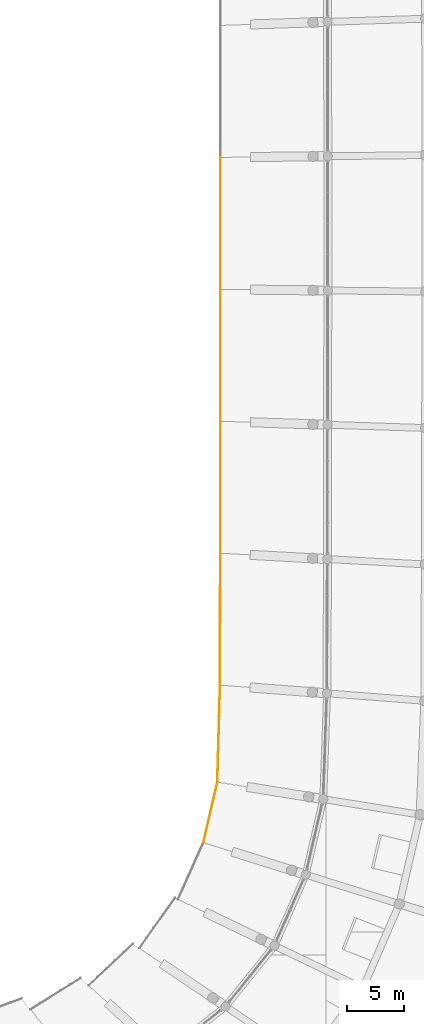
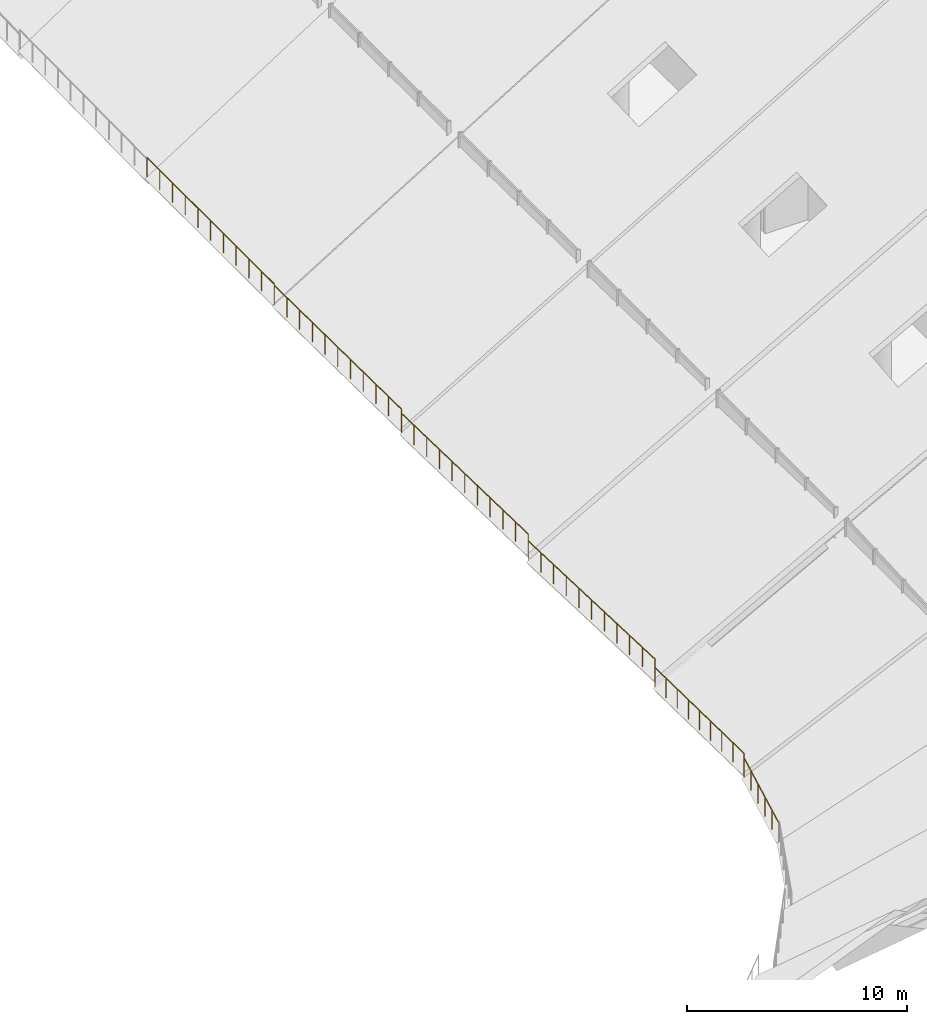
# One storey, part 224 of 249: 6 railings.
"""IFC4 building model written with IfcOpenShell, lengths in metres."""

from ifc_helpers import new_model, si_unit, direction, frame, origin, origin_2d, place, context, subcontext, project, spatial, circle, extrude, material, type_object, element, save


model = new_model("IFC4")

# Units and contexts
model_context = context("Model", 3, precision=1e-05, world=origin(), true_north=direction((0.0, 1.0)))
body_context = subcontext(model_context, "Body", "Model", "MODEL_VIEW")
ifc_project = project(units=[si_unit("LENGTHUNIT", "METRE"), si_unit("AREAUNIT", "SQUARE_METRE"), si_unit("VOLUMEUNIT", "CUBIC_METRE"), si_unit("PLANEANGLEUNIT", "RADIAN"), si_unit("MASSUNIT", "GRAM", prefix="KILO")], contexts=[model_context])

# Site, building, storey
site_placement = place(None, origin())
site = spatial("IfcSite", under=ifc_project, at=site_placement, CompositionType="ELEMENT")
building_placement = place(site_placement, origin())
building = spatial("IfcBuilding", under=site, at=building_placement, Name="Meseta Stadium", CompositionType="ELEMENT")
storey_placement = place(building_placement, frame((0.0, 0.0, 12.0)))
storey = spatial("IfcBuildingStorey", under=building, at=storey_placement, Name="L02", CompositionType="ELEMENT", Elevation=12.0)

# Railings
ifc_material = material(Name="Steel S355", Category="steel")
railing_type = type_object("IfcRailingType", Name="Stand edge guard 1100", PredefinedType="GUARDRAIL", material=ifc_material)
railing_1_placement = place(storey_placement, frame((55.22119140625, -48.985107421875, -0.697509765625)))
element("IfcRailing", 1, at=railing_1_placement, inside=storey, type_object=railing_type, Name="Stand upper tier front guard bay 01", PredefinedType="GUARDRAIL", context=body_context, shape_type="SweptSolid", body=[
    extrude(circle(Radius=0.02490234375, at=origin_2d()), frame((0.0, 0.0, 1.0751953125), z_axis=(0.027746765401, 0.998023634035, -0.056382115232), x_axis=(-0.999613756303, 0.027790973522, 0.0)), (0.0, 0.0, 1.0), 8.517333984375),
    extrude(circle(Radius=0.02001953125, at=origin_2d()), origin(), (0.0, 0.0, 1.0), 1.050048828125),
    extrude(circle(Radius=0.02001953125, at=origin_2d()), frame((0.029541015625, 1.0625, -0.06005859375)), (0.0, 0.0, 1.0), 1.050048828125),
    extrude(circle(Radius=0.02001953125, at=origin_2d()), frame((0.05908203125, 2.125, -0.1201171875)), (0.0, 0.0, 1.0), 1.050048828125),
    extrude(circle(Radius=0.02001953125, at=origin_2d()), frame((0.088623046875, 3.187744140625, -0.18017578125)), (0.0, 0.0, 1.0), 1.050048828125),
    extrude(circle(Radius=0.02001953125, at=origin_2d()), frame((0.1181640625, 4.250244140625, -0.240234375)), (0.0, 0.0, 1.0), 1.050048828125),
    extrude(circle(Radius=0.02001953125, at=origin_2d()), frame((0.147705078125, 5.312744140625, -0.300048828125)), (0.0, 0.0, 1.0), 1.050048828125),
    extrude(circle(Radius=0.02001953125, at=origin_2d()), frame((0.17724609375, 6.37548828125, -0.360107421875)), (0.0, 0.0, 1.0), 1.050048828125),
    extrude(circle(Radius=0.02001953125, at=origin_2d()), frame((0.206787109375, 7.43798828125, -0.420166015625)), (0.0, 0.0, 1.0), 1.050048828125),
    extrude(circle(Radius=0.02001953125, at=origin_2d()), frame((0.236328125, 8.50048828125, -0.480224609375)), (0.0, 0.0, 1.0), 1.050048828125),
])
railing_2_placement = place(storey_placement, frame((55.45751953125, -40.484619140625, -0.706787109375)))
element("IfcRailing", 2, at=railing_2_placement, inside=storey, type_object=railing_type, Name="Stand upper tier front guard bay 02", PredefinedType="GUARDRAIL", context=body_context, shape_type="SweptSolid", body=[
    extrude(circle(Radius=0.02490234375, at=origin_2d()), frame((0.0, 0.0, 1.0751953125), z_axis=(0.001792804063, 0.999203525403, -0.039863525626), x_axis=(-0.999998390368, 0.001794230236, 0.0)), (0.0, 0.0, 1.0), 11.5751953125),
    extrude(circle(Radius=0.02001953125, at=origin_2d()), origin(), (0.0, 0.0, 1.0), 1.050048828125),
    extrude(circle(Radius=0.02001953125, at=origin_2d()), frame((0.001953125, 1.156494140625, -0.046142578125)), (0.0, 0.0, 1.0), 1.050048828125),
    extrude(circle(Radius=0.02001953125, at=origin_2d()), frame((0.004150390625, 2.313232421875, -0.09228515625)), (0.0, 0.0, 1.0), 1.050048828125),
    extrude(circle(Radius=0.02001953125, at=origin_2d()), frame((0.00634765625, 3.4697265625, -0.138427734375)), (0.0, 0.0, 1.0), 1.050048828125),
    extrude(circle(Radius=0.02001953125, at=origin_2d()), frame((0.00830078125, 4.62646484375, -0.1845703125)), (0.0, 0.0, 1.0), 1.050048828125),
    extrude(circle(Radius=0.02001953125, at=origin_2d()), frame((0.01025390625, 5.782958984375, -0.230712890625)), (0.0, 0.0, 1.0), 1.050048828125),
    extrude(circle(Radius=0.02001953125, at=origin_2d()), frame((0.012451171875, 6.939453125, -0.27685546875)), (0.0, 0.0, 1.0), 1.050048828125),
    extrude(circle(Radius=0.02001953125, at=origin_2d()), frame((0.014404296875, 8.09619140625, -0.322998046875)), (0.0, 0.0, 1.0), 1.050048828125),
    extrude(circle(Radius=0.02001953125, at=origin_2d()), frame((0.0166015625, 9.252685546875, -0.369140625)), (0.0, 0.0, 1.0), 1.050048828125),
    extrude(circle(Radius=0.02001953125, at=origin_2d()), frame((0.0185546875, 10.409423828125, -0.415283203125)), (0.0, 0.0, 1.0), 1.050048828125),
    extrude(circle(Radius=0.02001953125, at=origin_2d()), frame((0.020751953125, 11.56591796875, -0.46142578125)), (0.0, 0.0, 1.0), 1.050048828125),
])
railing_3_placement = place(storey_placement, frame((55.478271484375, -28.918701171875, -0.783447265625)))
element("IfcRailing", 3, at=railing_3_placement, inside=storey, type_object=railing_type, Name="Stand upper tier front guard bay 03", PredefinedType="GUARDRAIL", context=body_context, shape_type="SweptSolid", body=[
    extrude(circle(Radius=0.02490234375, at=origin_2d()), frame((0.0, 0.0, 1.0751953125), z_axis=(0.00120266259, 0.999644705221, -0.026627371733), x_axis=(-0.999999276288, 0.001203089171, 0.0)), (0.0, 0.0, 1.0), 11.571044921875),
    extrude(circle(Radius=0.02001953125, at=origin_2d()), origin(), (0.0, 0.0, 1.0), 1.050048828125),
    extrude(circle(Radius=0.02001953125, at=origin_2d()), frame((0.00146484375, 1.15673828125, -0.03076171875)), (0.0, 0.0, 1.0), 1.050048828125),
    extrude(circle(Radius=0.02001953125, at=origin_2d()), frame((0.002685546875, 2.3134765625, -0.0615234375)), (0.0, 0.0, 1.0), 1.050048828125),
    extrude(circle(Radius=0.02001953125, at=origin_2d()), frame((0.004150390625, 3.469970703125, -0.092529296875)), (0.0, 0.0, 1.0), 1.050048828125),
    extrude(circle(Radius=0.02001953125, at=origin_2d()), frame((0.005615234375, 4.626708984375, -0.123291015625)), (0.0, 0.0, 1.0), 1.050048828125),
    extrude(circle(Radius=0.02001953125, at=origin_2d()), frame((0.0068359375, 5.783447265625, -0.154052734375)), (0.0, 0.0, 1.0), 1.050048828125),
    extrude(circle(Radius=0.02001953125, at=origin_2d()), frame((0.00830078125, 6.940185546875, -0.184814453125)), (0.0, 0.0, 1.0), 1.050048828125),
    extrude(circle(Radius=0.02001953125, at=origin_2d()), frame((0.009765625, 8.096923828125, -0.215576171875)), (0.0, 0.0, 1.0), 1.050048828125),
    extrude(circle(Radius=0.02001953125, at=origin_2d()), frame((0.01123046875, 9.25341796875, -0.24658203125)), (0.0, 0.0, 1.0), 1.050048828125),
    extrude(circle(Radius=0.02001953125, at=origin_2d()), frame((0.012451171875, 10.41015625, -0.27734375)), (0.0, 0.0, 1.0), 1.050048828125),
    extrude(circle(Radius=0.02001953125, at=origin_2d()), frame((0.013916015625, 11.56689453125, -0.30810546875)), (0.0, 0.0, 1.0), 1.050048828125),
])
railing_4_placement = place(storey_placement, frame((55.4921875, -17.351806640625, -0.8603515625)))
element("IfcRailing", 4, at=railing_4_placement, inside=storey, type_object=railing_type, Name="Stand upper tier front guard bay 04", PredefinedType="GUARDRAIL", context=body_context, shape_type="SweptSolid", body=[
    extrude(circle(Radius=0.02490234375, at=origin_2d()), frame((0.0, 0.0, 1.0751953125), z_axis=(0.000590889044, 0.999910880871, -0.013337209842), x_axis=(-0.999999825394, 0.000590941605, 0.0)), (0.0, 0.0, 1.0), 11.56884765625),
    extrude(circle(Radius=0.02001953125, at=origin_2d()), origin(), (0.0, 0.0, 1.0), 1.050048828125),
    extrude(circle(Radius=0.02001953125, at=origin_2d()), frame((0.000732421875, 1.15673828125, -0.015380859375)), (0.0, 0.0, 1.0), 1.050048828125),
    extrude(circle(Radius=0.02001953125, at=origin_2d()), frame((0.00146484375, 2.3134765625, -0.03076171875)), (0.0, 0.0, 1.0), 1.050048828125),
    extrude(circle(Radius=0.02001953125, at=origin_2d()), frame((0.001953125, 3.470458984375, -0.04638671875)), (0.0, 0.0, 1.0), 1.050048828125),
    extrude(circle(Radius=0.02001953125, at=origin_2d()), frame((0.002685546875, 4.627197265625, -0.061767578125)), (0.0, 0.0, 1.0), 1.050048828125),
    extrude(circle(Radius=0.02001953125, at=origin_2d()), frame((0.00341796875, 5.783935546875, -0.0771484375)), (0.0, 0.0, 1.0), 1.050048828125),
    extrude(circle(Radius=0.02001953125, at=origin_2d()), frame((0.004150390625, 6.940673828125, -0.092529296875)), (0.0, 0.0, 1.0), 1.050048828125),
    extrude(circle(Radius=0.02001953125, at=origin_2d()), frame((0.0048828125, 8.097412109375, -0.10791015625)), (0.0, 0.0, 1.0), 1.050048828125),
    extrude(circle(Radius=0.02001953125, at=origin_2d()), frame((0.00537109375, 9.25439453125, -0.12353515625)), (0.0, 0.0, 1.0), 1.050048828125),
    extrude(circle(Radius=0.02001953125, at=origin_2d()), frame((0.006103515625, 10.4111328125, -0.138916015625)), (0.0, 0.0, 1.0), 1.050048828125),
    extrude(circle(Radius=0.02001953125, at=origin_2d()), frame((0.0068359375, 11.56787109375, -0.154296875)), (0.0, 0.0, 1.0), 1.050048828125),
])
railing_5_placement = place(storey_placement, frame((55.4990234375, -5.783935546875, -0.9375)))
element("IfcRailing", 5, at=railing_5_placement, inside=storey, type_object=railing_type, Name="Stand upper tier front guard bay 05", PredefinedType="GUARDRAIL", context=body_context, shape_type="SweptSolid", body=[
    extrude(circle(Radius=0.02490234375, at=origin_2d()), frame((0.0, 0.0, 1.0751953125), z_axis=(0.0, 1.0, 0.0), x_axis=(-1.0, 0.0, 0.0)), (0.0, 0.0, 1.0), 11.56787109375),
    extrude(circle(Radius=0.02001953125, at=origin_2d()), origin(), (0.0, 0.0, 1.0), 1.050048828125),
    extrude(circle(Radius=0.02001953125, at=origin_2d()), frame((0.0, 1.15673828125, 0.0)), (0.0, 0.0, 1.0), 1.050048828125),
    extrude(circle(Radius=0.02001953125, at=origin_2d()), frame((0.0, 2.3134765625, 0.0)), (0.0, 0.0, 1.0), 1.050048828125),
    extrude(circle(Radius=0.02001953125, at=origin_2d()), frame((0.0, 3.470458984375, 0.0)), (0.0, 0.0, 1.0), 1.050048828125),
    extrude(circle(Radius=0.02001953125, at=origin_2d()), frame((0.0, 4.627197265625, 0.0)), (0.0, 0.0, 1.0), 1.050048828125),
    extrude(circle(Radius=0.02001953125, at=origin_2d()), frame((0.0, 5.783935546875, 0.0)), (0.0, 0.0, 1.0), 1.050048828125),
    extrude(circle(Radius=0.02001953125, at=origin_2d()), frame((0.0, 6.940673828125, 0.0)), (0.0, 0.0, 1.0), 1.050048828125),
    extrude(circle(Radius=0.02001953125, at=origin_2d()), frame((0.0, 8.097412109375, 0.0)), (0.0, 0.0, 1.0), 1.050048828125),
    extrude(circle(Radius=0.02001953125, at=origin_2d()), frame((0.0, 9.25439453125, 0.0)), (0.0, 0.0, 1.0), 1.050048828125),
    extrude(circle(Radius=0.02001953125, at=origin_2d()), frame((0.0, 10.4111328125, 0.0)), (0.0, 0.0, 1.0), 1.050048828125),
    extrude(circle(Radius=0.02001953125, at=origin_2d()), frame((0.0, 11.56787109375, 0.0)), (0.0, 0.0, 1.0), 1.050048828125),
])
railing_6_placement = place(storey_placement, frame((53.994140625, -54.292236328125, -0.929931640625)))
element("IfcRailing", 6, at=railing_6_placement, inside=storey, type_object=railing_type, Name="Stand upper tier front guard bay 56", PredefinedType="GUARDRAIL", context=body_context, shape_type="SweptSolid", body=[
    extrude(circle(Radius=0.02490234375, at=origin_2d()), frame((0.0, 0.0, 1.0751953125), z_axis=(0.225264487262, 0.974293558319, -0.002823649562), x_axis=(-0.974297442362, 0.225265385284, 0.0)), (0.0, 0.0, 1.0), 5.447265625),
    extrude(circle(Radius=0.02001953125, at=origin_2d()), origin(), (0.0, 0.0, 1.0), 1.050048828125),
    extrude(circle(Radius=0.02001953125, at=origin_2d()), frame((0.245361328125, 1.0615234375, -0.003173828125)), (0.0, 0.0, 1.0), 1.050048828125),
    extrude(circle(Radius=0.02001953125, at=origin_2d()), frame((0.49072265625, 2.122802734375, -0.006103515625)), (0.0, 0.0, 1.0), 1.050048828125),
    extrude(circle(Radius=0.02001953125, at=origin_2d()), frame((0.736328125, 3.184326171875, -0.00927734375)), (0.0, 0.0, 1.0), 1.050048828125),
    extrude(circle(Radius=0.02001953125, at=origin_2d()), frame((0.981689453125, 4.24560546875, -0.01220703125)), (0.0, 0.0, 1.0), 1.050048828125),
    extrude(circle(Radius=0.02001953125, at=origin_2d()), frame((1.22705078125, 5.30712890625, -0.015380859375)), (0.0, 0.0, 1.0), 1.050048828125),
])

save(model, "model.ifc")
